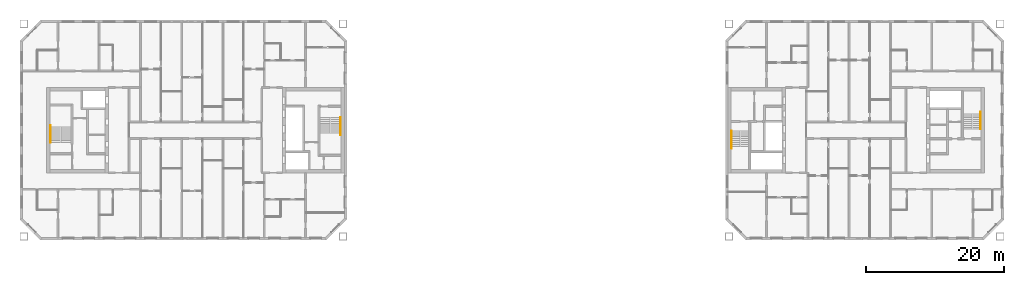
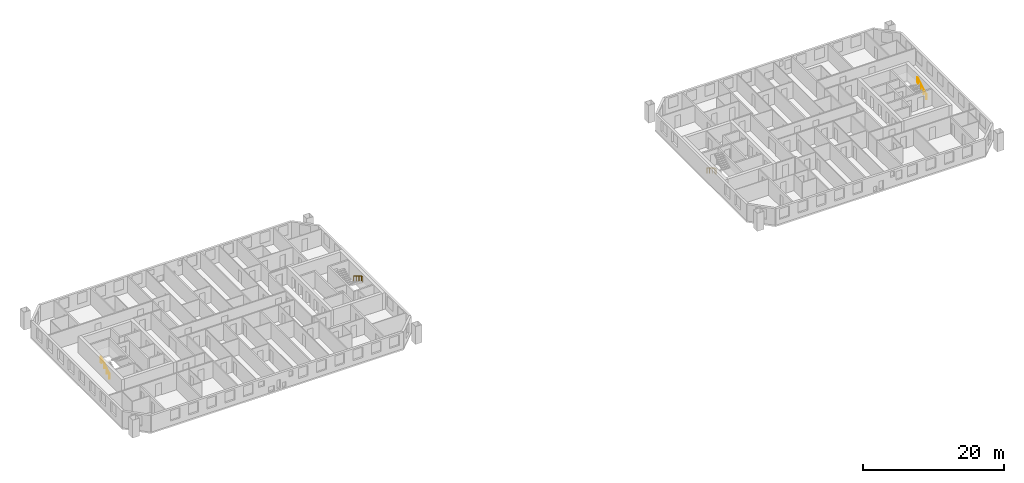
# One storey, part 15 of 15: 4 railings.
"""IFC4 building model written with IfcOpenShell, lengths in metres."""

from ifc_helpers import new_model, si_unit, direction, frame, origin, origin_2d, place, context, subcontext, project, spatial, circle, extrude, material, type_object, element, save


model = new_model("IFC4")

# Units and contexts
model_context = context("Model", 3, precision=1e-05, world=origin(), true_north=direction((0.0, 1.0)))
body_context = subcontext(model_context, "Body", "Model", "MODEL_VIEW")
ifc_project = project(units=[si_unit("LENGTHUNIT", "METRE"), si_unit("AREAUNIT", "SQUARE_METRE"), si_unit("VOLUMEUNIT", "CUBIC_METRE"), si_unit("PLANEANGLEUNIT", "RADIAN"), si_unit("MASSUNIT", "GRAM", prefix="KILO")], contexts=[model_context])

# Site, building, storey
site_placement = place(None, origin())
site = spatial("IfcSite", under=ifc_project, at=site_placement, CompositionType="ELEMENT")
building_placement = place(site_placement, origin())
building = spatial("IfcBuilding", under=site, at=building_placement, Name="Tuart Gate Housing", CompositionType="ELEMENT")
storey_placement = place(building_placement, frame((0.0, 0.0, 164.0)))
storey = spatial("IfcBuildingStorey", under=building, at=storey_placement, Name="L46", CompositionType="ELEMENT", Elevation=164.0)

# Railings
ifc_material = material(Name="Stainless steel", Category="steel")
railing_type = type_object("IfcRailingType", Name="Stair handrail 900", PredefinedType="HANDRAIL", material=ifc_material)
railing_1_placement = place(storey_placement, frame((75.080078125, 71.824951171875, 0.172119140625)))
element("IfcRailing", 1, at=railing_1_placement, inside=storey, type_object=railing_type, Name="Stair handrail SA1.1", PredefinedType="HANDRAIL", context=body_context, shape_type="SweptSolid", body=[
    extrude(circle(Radius=0.02392578125, at=origin_2d()), frame((0.0, 0.0, 0.8759765625), z_axis=(0.0, -0.851747552033, 0.523952390591), x_axis=(1.0, 0.0, 0.0)), (0.0, 0.0, 1.0), 2.6298828125),
    extrude(circle(Radius=0.02392578125, at=origin_2d()), frame((0.0, -2.239990234375, 2.25390625), z_axis=(0.0, -1.0, 0.0), x_axis=(1.0, 0.0, 0.0)), (0.0, 0.0, 1.0), 0.300048828125),
    extrude(circle(Radius=0.02099609375, at=origin_2d()), origin(), (0.0, 0.0, 1.0), 0.851806640625),
    extrude(circle(Radius=0.02099609375, at=origin_2d()), frame((0.0, -0.74658203125, 0.459228515625)), (0.0, 0.0, 1.0), 0.851806640625),
    extrude(circle(Radius=0.02099609375, at=origin_2d()), frame((0.0, -1.493408203125, 0.918701171875)), (0.0, 0.0, 1.0), 0.851806640625),
    extrude(circle(Radius=0.02099609375, at=origin_2d()), frame((0.0, -2.239990234375, 1.3779296875)), (0.0, 0.0, 1.0), 0.851806640625),
    extrude(circle(Radius=0.02099609375, at=origin_2d()), frame((0.0, -2.5400390625, 1.3779296875)), (0.0, 0.0, 1.0), 0.851806640625),
])
railing_2_placement = place(storey_placement, frame((32.919921875, 68.175048828125, 0.172119140625)))
element("IfcRailing", 2, at=railing_2_placement, inside=storey, type_object=railing_type, Name="Stair handrail SA2.1", PredefinedType="HANDRAIL", context=body_context, shape_type="SweptSolid", body=[
    extrude(circle(Radius=0.02392578125, at=origin_2d()), frame((0.0, 0.0, 0.8759765625), z_axis=(0.0, 0.851747552033, 0.523952390591), x_axis=(-1.0, 0.0, 0.0)), (0.0, 0.0, 1.0), 2.6298828125),
    extrude(circle(Radius=0.02392578125, at=origin_2d()), frame((0.0, 2.239990234375, 2.25390625), z_axis=(0.0, 1.0, 0.0), x_axis=(-1.0, 0.0, 0.0)), (0.0, 0.0, 1.0), 0.300048828125),
    extrude(circle(Radius=0.02099609375, at=origin_2d()), origin(), (0.0, 0.0, 1.0), 0.851806640625),
    extrude(circle(Radius=0.02099609375, at=origin_2d()), frame((0.0, 0.74658203125, 0.459228515625)), (0.0, 0.0, 1.0), 0.851806640625),
    extrude(circle(Radius=0.02099609375, at=origin_2d()), frame((0.0, 1.493408203125, 0.918701171875)), (0.0, 0.0, 1.0), 0.851806640625),
    extrude(circle(Radius=0.02099609375, at=origin_2d()), frame((0.0, 2.239990234375, 1.3779296875)), (0.0, 0.0, 1.0), 0.851806640625),
    extrude(circle(Radius=0.02099609375, at=origin_2d()), frame((0.0, 2.5400390625, 1.3779296875)), (0.0, 0.0, 1.0), 0.851806640625),
])
railing_3_placement = place(storey_placement, frame((131.919921875, 69.875, 0.172119140625)))
element("IfcRailing", 3, at=railing_3_placement, inside=storey, type_object=railing_type, Name="Stair handrail SB1.1", PredefinedType="HANDRAIL", context=body_context, shape_type="SweptSolid", body=[
    extrude(circle(Radius=0.02392578125, at=origin_2d()), frame((0.0, 0.0, 0.8759765625), z_axis=(0.0, -0.851747552033, 0.523952390591), x_axis=(1.0, 0.0, 0.0)), (0.0, 0.0, 1.0), 2.6298828125),
    extrude(circle(Radius=0.02392578125, at=origin_2d()), frame((0.0, -2.239990234375, 2.25390625), z_axis=(0.0, -1.0, 0.0), x_axis=(1.0, 0.0, 0.0)), (0.0, 0.0, 1.0), 0.300048828125),
    extrude(circle(Radius=0.02099609375, at=origin_2d()), origin(), (0.0, 0.0, 1.0), 0.851806640625),
    extrude(circle(Radius=0.02099609375, at=origin_2d()), frame((0.0, -0.74658203125, 0.459228515625)), (0.0, 0.0, 1.0), 0.851806640625),
    extrude(circle(Radius=0.02099609375, at=origin_2d()), frame((0.0, -1.493408203125, 0.918701171875)), (0.0, 0.0, 1.0), 0.851806640625),
    extrude(circle(Radius=0.02099609375, at=origin_2d()), frame((0.0, -2.239990234375, 1.3779296875)), (0.0, 0.0, 1.0), 0.851806640625),
    extrude(circle(Radius=0.02099609375, at=origin_2d()), frame((0.0, -2.5400390625, 1.3779296875)), (0.0, 0.0, 1.0), 0.851806640625),
])
railing_4_placement = place(storey_placement, frame((168.080078125, 70.125, 0.172119140625)))
element("IfcRailing", 4, at=railing_4_placement, inside=storey, type_object=railing_type, Name="Stair handrail SB2.1", PredefinedType="HANDRAIL", context=body_context, shape_type="SweptSolid", body=[
    extrude(circle(Radius=0.02392578125, at=origin_2d()), frame((0.0, 0.0, 0.8759765625), z_axis=(0.0, 0.851747552033, 0.523952390591), x_axis=(-1.0, 0.0, 0.0)), (0.0, 0.0, 1.0), 2.6298828125),
    extrude(circle(Radius=0.02392578125, at=origin_2d()), frame((0.0, 2.239990234375, 2.25390625), z_axis=(0.0, 1.0, 0.0), x_axis=(-1.0, 0.0, 0.0)), (0.0, 0.0, 1.0), 0.300048828125),
    extrude(circle(Radius=0.02099609375, at=origin_2d()), origin(), (0.0, 0.0, 1.0), 0.851806640625),
    extrude(circle(Radius=0.02099609375, at=origin_2d()), frame((0.0, 0.74658203125, 0.459228515625)), (0.0, 0.0, 1.0), 0.851806640625),
    extrude(circle(Radius=0.02099609375, at=origin_2d()), frame((0.0, 1.493408203125, 0.918701171875)), (0.0, 0.0, 1.0), 0.851806640625),
    extrude(circle(Radius=0.02099609375, at=origin_2d()), frame((0.0, 2.239990234375, 1.3779296875)), (0.0, 0.0, 1.0), 0.851806640625),
    extrude(circle(Radius=0.02099609375, at=origin_2d()), frame((0.0, 2.5400390625, 1.3779296875)), (0.0, 0.0, 1.0), 0.851806640625),
])

save(model, "model.ifc")
